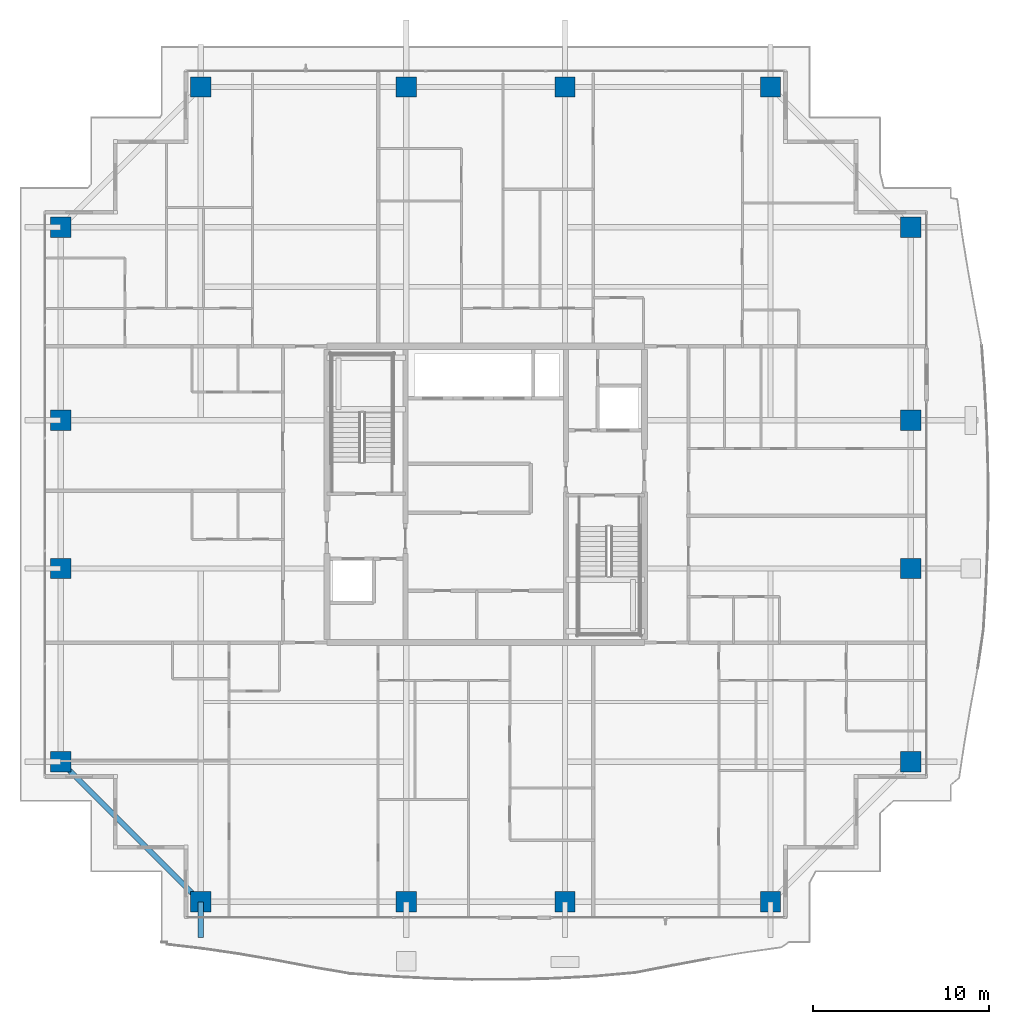
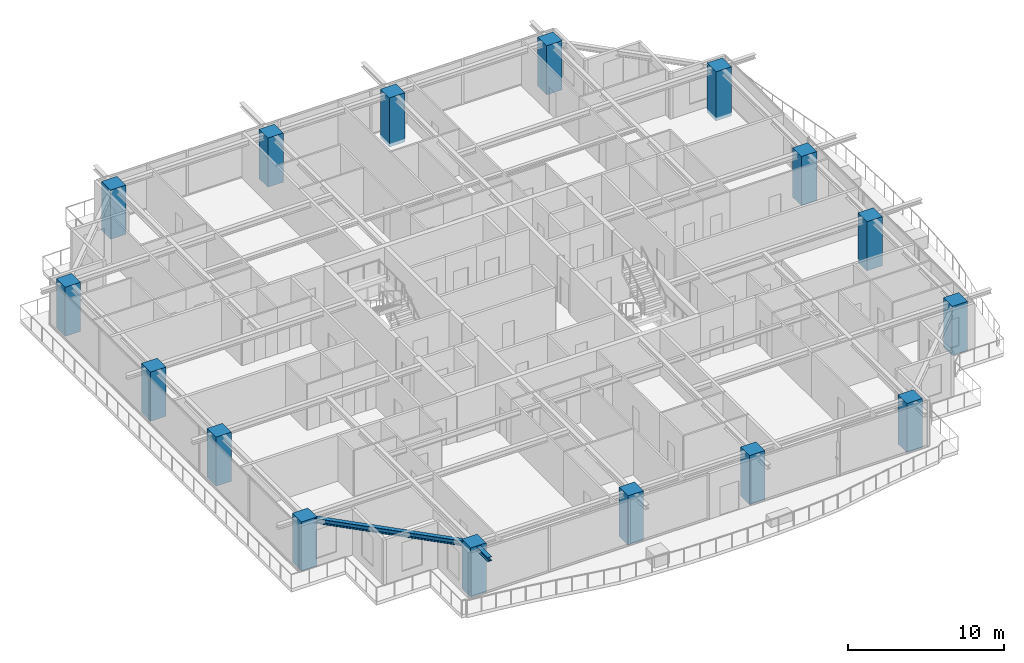
# One storey, part 1 of 38: 16 columns, 2 beams.
"""IFC4 building model written with IfcOpenShell, lengths in metres."""

from ifc_helpers import new_model, si_unit, direction, frame, origin, origin_2d, place, context, subcontext, project, spatial, rectangle, i_section, extrude, source, transform, mapped, material, material_profile, profile_set, type_object, element, save


model = new_model("IFC4")

# Units and contexts
model_context = context("Model", 3, precision=1e-05, world=origin(), true_north=direction((0.0, 1.0)))
body_context = subcontext(model_context, "Body", "Model", "MODEL_VIEW")
ifc_project = project(units=[si_unit("LENGTHUNIT", "METRE"), si_unit("AREAUNIT", "SQUARE_METRE"), si_unit("VOLUMEUNIT", "CUBIC_METRE"), si_unit("PLANEANGLEUNIT", "RADIAN"), si_unit("MASSUNIT", "GRAM", prefix="KILO")], contexts=[model_context])

# Site, building, storey
site_placement = place(None, origin())
site = spatial("IfcSite", under=ifc_project, at=site_placement, CompositionType="ELEMENT")
building_placement = place(site_placement, origin())
building = spatial("IfcBuilding", under=site, at=building_placement, Name="Serunith Strait Residences", CompositionType="ELEMENT")
storey_placement = place(building_placement, frame((0.0, 0.0, 229.699951171875)))
storey = spatial("IfcBuildingStorey", under=building, at=storey_placement, Name="L57", CompositionType="ELEMENT", Elevation=229.699951171875)

# Columns
ifc_material_1 = material(Name="Concrete C80/95", Category="concrete")
ifc_material_profile_1 = material_profile(ifc_material_1, rectangle(XDim=1.14990234375, YDim=1.14990234375, at=origin_2d()), Name="RC 1150x1150")
ifc_profile_set_1 = profile_set([ifc_material_profile_1], Name="Concrete C80/95")
column_type = type_object("IfcColumnType", Name="COL-RC-1150", PredefinedType="COLUMN", material=ifc_profile_set_1)
shared_shape_1 = source(origin(), body_context, "Body", "SweptSolid", [
    extrude(rectangle(XDim=1.14990234375, YDim=1.14990234375, at=origin_2d()), origin(), (0.0, 0.0, 1.0), 3.85009765625),
])
for number, where, z_axis, x_axis, name in (
    (1, (16.25, 2.10009765625, -0.260009765625), (0.0, 0.0, 1.0), (1.0, 0.0, 0.0), "L57 Tower Mega-Column TC-S1"),
    (2, (27.89990234375, 2.10009765625, -0.260009765625), (0.0, 0.0, 1.0), (1.0, 0.0, 0.0), "L57 Tower Mega-Column TC-S2"),
    (3, (36.89990234375, 2.10009765625, -0.260009765625), (0.0, 0.0, 1.0), (1.0, 0.0, 0.0), "L57 Tower Mega-Column TC-S3"),
    (4, (48.550048828125, 2.10009765625, -0.260009765625), (0.0, 0.0, 1.0), (1.0, 0.0, 0.0), "L57 Tower Mega-Column TC-S4"),
    (5, (16.25, 48.300048828125, -0.260009765625), (0.0, 0.0, 1.0), (1.0, 0.0, 0.0), "L57 Tower Mega-Column TC-N1"),
    (6, (27.89990234375, 48.300048828125, -0.260009765625), (0.0, 0.0, 1.0), (1.0, 0.0, 0.0), "L57 Tower Mega-Column TC-N2"),
    (7, (36.89990234375, 48.300048828125, -0.260009765625), (0.0, 0.0, 1.0), (1.0, 0.0, 0.0), "L57 Tower Mega-Column TC-N3"),
    (8, (48.550048828125, 48.300048828125, -0.260009765625), (0.0, 0.0, 1.0), (1.0, 0.0, 0.0), "L57 Tower Mega-Column TC-N4"),
    (9, (56.5, 10.050048828125, -0.260009765625), (0.0, 0.0, 1.0), (1.0, 0.0, 0.0), "L57 Tower Mega-Column TC-E1"),
    (10, (56.5, 21.0, -0.260009765625), (0.0, 0.0, 1.0), (1.0, 0.0, 0.0), "L57 Tower Mega-Column TC-E2"),
    (11, (56.5, 29.39990234375, -0.260009765625), (0.0, 0.0, 1.0), (1.0, 0.0, 0.0), "L57 Tower Mega-Column TC-E3"),
    (12, (56.5, 40.35009765625, -0.260009765625), (0.0, 0.0, 1.0), (1.0, 0.0, 0.0), "L57 Tower Mega-Column TC-E4"),
    (13, (8.300048828125, 10.050048828125, -0.260009765625), (0.0, 0.0, 1.0), (1.0, 0.0, 0.0), "L57 Tower Mega-Column TC-W1"),
    (14, (8.300048828125, 21.0, -0.260009765625), (0.0, 0.0, 1.0), (1.0, 0.0, 0.0), "L57 Tower Mega-Column TC-W2"),
    (15, (8.300048828125, 29.39990234375, -0.260009765625), (0.0, 0.0, 1.0), (1.0, 0.0, 0.0), "L57 Tower Mega-Column TC-W3"),
    (16, (8.300048828125, 40.35009765625, -0.260009765625), (0.0, 0.0, 1.0), (1.0, 0.0, 0.0), "L57 Tower Mega-Column TC-W4"),
):
    element("IfcColumn", number, at=place(storey_placement, frame(where, z_axis=z_axis, x_axis=x_axis)), inside=storey, type_object=column_type, Name=name, PredefinedType="COLUMN", context=body_context, shape_type="MappedRepresentation", body=[
        mapped(shared_shape_1, transform((0.0, 0.0, 0.0), scale=1.0)),
    ])

# Beams
ifc_material_2 = material(Name="Steel S355J2", Category="steel")
ifc_material_profile_2 = material_profile(ifc_material_2, i_section(OverallWidth=0.300048828125, OverallDepth=0.39990234375, WebThickness=0.013427734375, FlangeThickness=0.02392578125, FilletRadius=0.027099609375, at=origin_2d()), Name="HEB 400")
ifc_profile_set_2 = profile_set([ifc_material_profile_2], Name="Steel S355J2")
beam_type_1 = type_object("IfcBeamType", Name="BM-HEB400", PredefinedType="BEAM", material=ifc_profile_set_2)
shared_shape_2 = source(origin(), body_context, "Body", "SweptSolid", [
    extrude(i_section(OverallWidth=0.300048828125, OverallDepth=0.39990234375, WebThickness=0.013427734375, FlangeThickness=0.02392578125, FilletRadius=0.027099609375, at=origin_2d()), origin(), (0.0, 0.0, 1.0), 11.242919921875),
])
beam_1_placement = place(storey_placement, frame((8.300048828125, 10.050048828125, 3.35693359375), z_axis=(0.707106781187, -0.707106781187, 0.0), x_axis=(0.707106781187, 0.707106781187, 0.0)))
element("IfcBeam", 17, at=beam_1_placement, inside=storey, type_object=beam_type_1, Name="L57 Perimeter Ring Beam 16", PredefinedType="BEAM", context=body_context, shape_type="MappedRepresentation", body=[
    mapped(shared_shape_2, transform((0.0, 0.0, 0.0), scale=1.0)),
])
ifc_material_profile_3 = material_profile(ifc_material_2, i_section(OverallWidth=0.300048828125, OverallDepth=0.320068359375, WebThickness=0.011474609375, FlangeThickness=0.0205078125, FilletRadius=0.027099609375, at=origin_2d()), Name="HEB 320")
ifc_profile_set_3 = profile_set([ifc_material_profile_3], Name="Steel S355J2")
beam_type_2 = type_object("IfcBeamType", Name="BM-HEB320", PredefinedType="BEAM", material=ifc_profile_set_3)
shared_shape_3 = source(origin(), body_context, "Body", "SweptSolid", [
    extrude(i_section(OverallWidth=0.300048828125, OverallDepth=0.320068359375, WebThickness=0.011474609375, FlangeThickness=0.0205078125, FilletRadius=0.027099609375, at=origin_2d()), origin(), (0.0, 0.0, 1.0), 2.030029296875),
])
beam_2_placement = place(storey_placement, frame((16.25, 2.10009765625, 3.39697265625), z_axis=(0.0, -1.0, 0.0), x_axis=(1.0, 0.0, 0.0)))
element("IfcBeam", 18, at=beam_2_placement, inside=storey, type_object=beam_type_2, Name="L58 Cantilevered Balcony Rib TC-S1", PredefinedType="BEAM", context=body_context, shape_type="MappedRepresentation", body=[
    mapped(shared_shape_3, transform((0.0, 0.0, 0.0), scale=1.0)),
])

save(model, "model.ifc")
